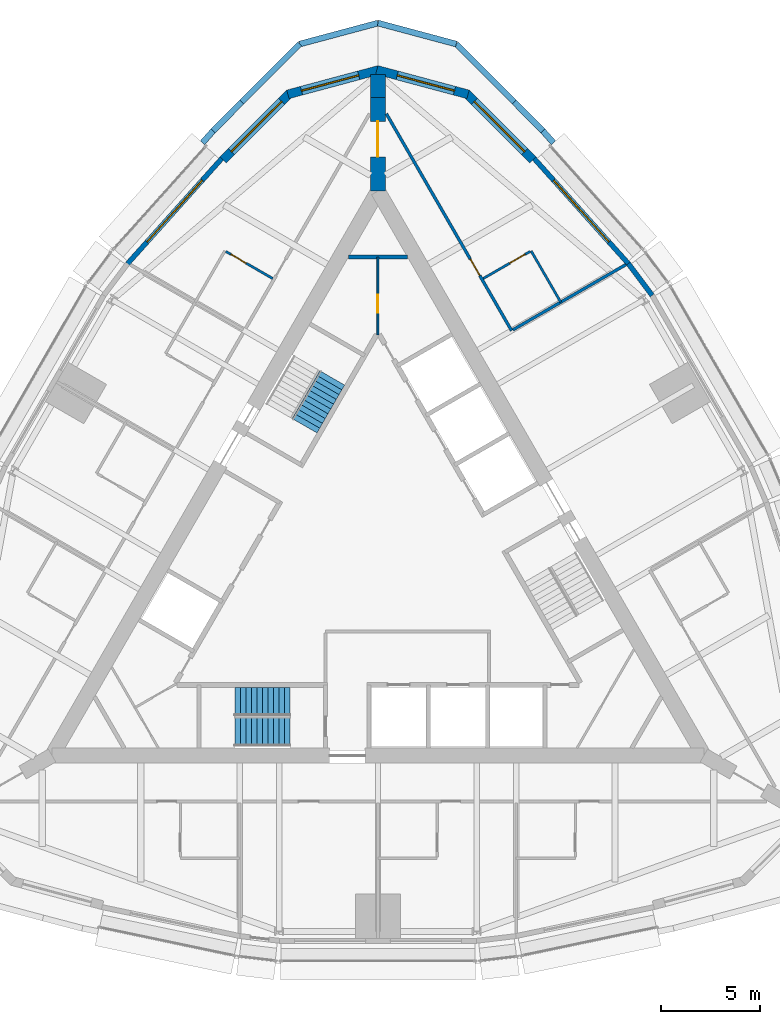
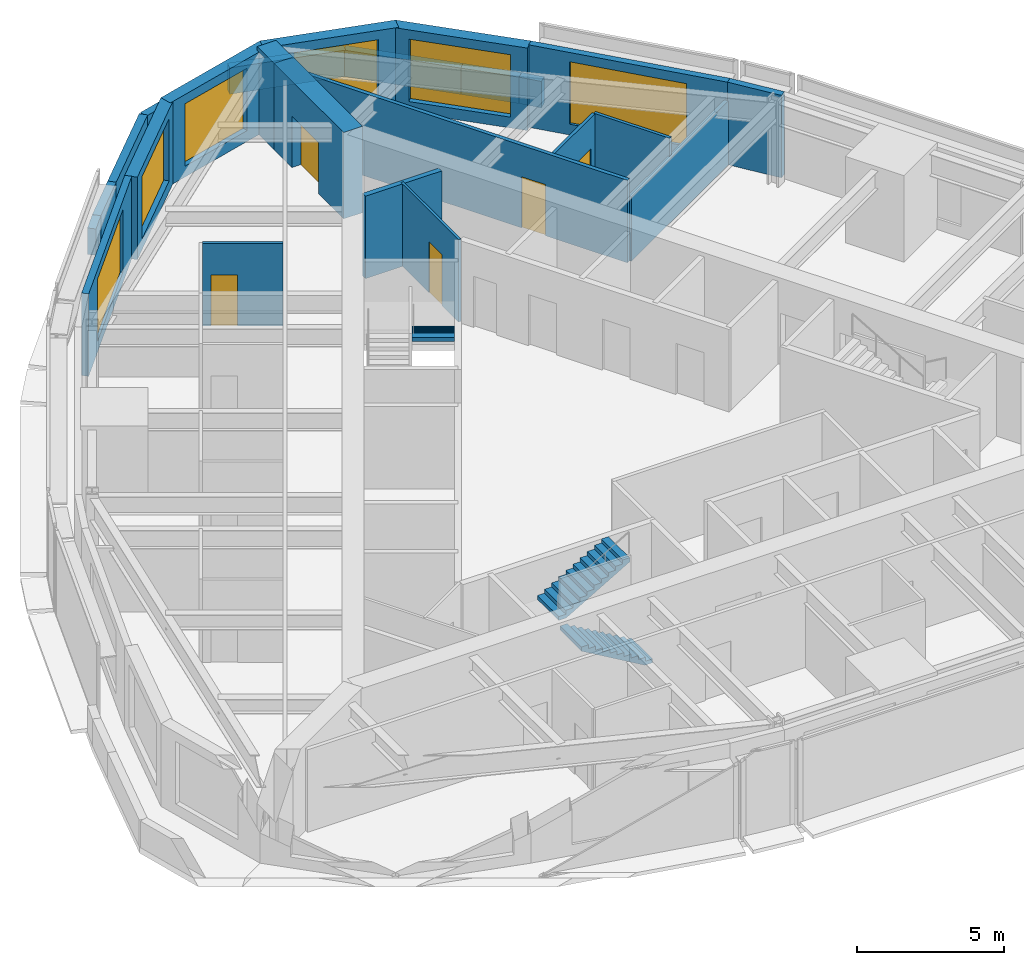
# One storey, part 11 of 13: 24 walls, 6 windows, 5 doors, 3 stair flights, 11 openings, 2 elements without a shape of their own.
"""IFC4 building model written with IfcOpenShell, lengths in metres."""

from ifc_helpers import new_model, si_unit, direction, frame, frame_2d, origin, place, context, subcontext, project, spatial, polyline, rectangle, outline, extrude, material, layer, layer_set, type_object, element, fill, aggregate, save


model = new_model("IFC4")

# Units and contexts
model_context = context("Model", 3, precision=1e-05, world=origin(), true_north=direction((0.0, 1.0)))
body_context = subcontext(model_context, "Body", "Model", "MODEL_VIEW")
ifc_project = project(units=[si_unit("LENGTHUNIT", "METRE"), si_unit("AREAUNIT", "SQUARE_METRE"), si_unit("VOLUMEUNIT", "CUBIC_METRE"), si_unit("PLANEANGLEUNIT", "RADIAN"), si_unit("MASSUNIT", "GRAM", prefix="KILO")], contexts=[model_context])

# Site, building, storey
site_placement = place(None, origin())
site = spatial("IfcSite", under=ifc_project, at=site_placement, CompositionType="ELEMENT")
building_placement = place(site_placement, origin())
building = spatial("IfcBuilding", under=site, at=building_placement, Name="Trikona Tower", CompositionType="ELEMENT")
storey_placement = place(building_placement, frame((0.0, 0.0, 239.300048828125)))
storey = spatial("IfcBuildingStorey", under=building, at=storey_placement, Name="L63", CompositionType="ELEMENT", Elevation=239.300048828125)

# Wall
ifc_material_1 = material(Name="Metal stud and cement board", Category="gypsum")
ifc_layer_1 = layer(ifc_material_1, 0.1201171875)
ifc_layer_set_1 = layer_set([ifc_layer_1], Name="Bathroom wall 120")
wall_type_1 = type_object("IfcWallType", Name="Bathroom wall 120", PredefinedType="PLUMBINGWALL", material=ifc_layer_set_1)
wall_1_placement = place(storey_placement, frame((9.25341796875, 13.42529296875, 0.0), z_axis=(0.0, 0.0, 1.0), x_axis=(-0.499990139034, 0.866031096941, 0.0)))
element("IfcWall", 1, at=wall_1_placement, inside=storey, type_object=wall_type_1, Name="Bathroom wall 6305", PredefinedType="PLUMBINGWALL", context=body_context, shape_type="SweptSolid", body=[
    extrude(rectangle(XDim=3.0, YDim=0.1201171875, at=frame_2d((1.5, 0.0))), origin(), (0.0, 0.0, 1.0), 3.43505859375),
])

# Wall, opening, door
wall_2_placement = place(storey_placement, frame((5.32861328125, 14.623291015625, 0.0), z_axis=(0.0, 0.0, 1.0), x_axis=(0.865997131366, 0.500048966069, 0.0)))
wall_2 = element("IfcWall", 2, at=wall_2_placement, inside=storey, type_object=wall_type_1, Name="Bathroom wall 6305", PredefinedType="PLUMBINGWALL", context=body_context, shape_type="SweptSolid", body=[
    extrude(rectangle(XDim=2.739990234375, YDim=0.1201171875, at=frame_2d((1.3701171875, 0.0))), origin(), (0.0, 0.0, 1.0), 3.43505859375),
])
opening_1_placement = place(wall_2_placement, frame((1.550048828125, 0.0, 0.0)))
opening_1 = element("IfcOpeningElement", 3, at=opening_1_placement, cuts=wall_2, Name="Opening D2", PredefinedType="OPENING", context=body_context, shape_type="SweptSolid", body=[
    extrude(rectangle(XDim=0.89990234375, YDim=2.1298828125, at=frame_2d((0.449951171875, 1.06494140625))), frame((0.0, 0.070068359375, 0.0), z_axis=(0.0, -1.0, 0.0), x_axis=(1.0, 0.0, 0.0)), (0.0, 0.0, 1.0), 0.14013671875),
])
ifc_material_2 = material(Name="Steel door frame with solid-core timber leaf", Category="steel")
door_type_1 = type_object("IfcDoorType", Name="Bathroom door 900x2130", OperationType="SLIDING_TO_LEFT", PredefinedType="DOOR", material=ifc_material_2)
door_1_placement = place(opening_1_placement, origin())
door_1 = element("IfcDoor", 4, at=door_1_placement, inside=storey, type_object=door_type_1, Name="Bathroom door 6305", OperationType="SLIDING_TO_LEFT", OverallHeight=2.1298828125, OverallWidth=0.89990234375, PredefinedType="DOOR", context=body_context, shape_type="SweptSolid", body=[
    extrude(rectangle(XDim=0.89990234375, YDim=2.1298828125, at=frame_2d((0.449951171875, 1.06494140625))), frame((0.0, 0.02490234375, 0.0), z_axis=(0.0, -1.0, 0.0), x_axis=(1.0, 0.0, 0.0)), (0.0, 0.0, 1.0), 0.050048828125),
])
fill(opening_1, door_1)

wall_3_placement = place(storey_placement, frame((-5.32861328125, 14.623291015625, 0.0), z_axis=(0.0, 0.0, 1.0), x_axis=(-0.865997131366, 0.500048966069, 0.0)))
wall_3 = element("IfcWall", 5, at=wall_3_placement, inside=storey, type_object=wall_type_1, Name="Bathroom wall 6306", PredefinedType="PLUMBINGWALL", context=body_context, shape_type="SweptSolid", body=[
    extrude(rectangle(XDim=2.739990234375, YDim=0.1201171875, at=frame_2d((1.3701171875, 0.0))), origin(), (0.0, 0.0, 1.0), 3.43505859375),
])
opening_2_placement = place(wall_3_placement, frame((1.550048828125, 0.0, 0.0)))
opening_2 = element("IfcOpeningElement", 6, at=opening_2_placement, cuts=wall_3, Name="Opening D2", PredefinedType="OPENING", context=body_context, shape_type="SweptSolid", body=[
    extrude(rectangle(XDim=0.89990234375, YDim=2.1298828125, at=frame_2d((0.449951171875, 1.06494140625))), frame((0.0, 0.070068359375, 0.0), z_axis=(0.0, -1.0, 0.0), x_axis=(1.0, 0.0, 0.0)), (0.0, 0.0, 1.0), 0.14013671875),
])
door_2_placement = place(opening_2_placement, origin())
door_2 = element("IfcDoor", 7, at=door_2_placement, inside=storey, type_object=door_type_1, Name="Bathroom door 6306", OperationType="SLIDING_TO_LEFT", OverallHeight=2.1298828125, OverallWidth=0.89990234375, PredefinedType="DOOR", context=body_context, shape_type="SweptSolid", body=[
    extrude(rectangle(XDim=0.89990234375, YDim=2.1298828125, at=frame_2d((0.449951171875, 1.06494140625))), frame((0.0, 0.02490234375, 0.0), z_axis=(0.0, -1.0, 0.0), x_axis=(1.0, 0.0, 0.0)), (0.0, 0.0, 1.0), 0.050048828125),
])
fill(opening_2, door_2)

# Wall, opening, window
ifc_material_3 = material(Name="Brick-faced precast concrete", Category="masonry")
ifc_layer_2 = layer(ifc_material_3, 0.449951171875)
ifc_layer_set_2 = layer_set([ifc_layer_2], Name="Brick-faced corner wall 450")
wall_type_2 = type_object("IfcWallType", Name="Brick-faced corner wall 450", PredefinedType="SOLIDWALL", material=ifc_layer_set_2)
wall_4_placement = place(storey_placement, frame((7.8408203125, 20.62548828125, 0.0), z_axis=(0.0, 0.0, 1.0), x_axis=(-0.707106781187, 0.707106781187, 0.0)))
wall_4 = element("IfcWall", 8, at=wall_4_placement, inside=storey, type_object=wall_type_2, Name="External wall L63-14", PredefinedType="SOLIDWALL", context=body_context, shape_type="SweptSolid", body=[
    extrude(rectangle(XDim=4.781494140625, YDim=0.449951171875, at=frame_2d((2.390625, 0.0))), origin(), (0.0, 0.0, 1.0), 3.43505859375),
])
opening_3_placement = place(wall_4_placement, frame((0.5908203125, 0.0, 0.449951171875)))
opening_3 = element("IfcOpeningElement", 9, at=opening_3_placement, cuts=wall_4, Name="Opening W3626", PredefinedType="OPENING", context=body_context, shape_type="SweptSolid", body=[
    extrude(rectangle(XDim=3.60009765625, YDim=2.60009765625, at=frame_2d((1.800048828125, 1.300048828125))), frame((0.0, 0.23486328125, 0.0), z_axis=(0.0, -1.0, 0.0), x_axis=(1.0, 0.0, 0.0)), (0.0, 0.0, 1.0), 0.469970703125),
])
ifc_material_4 = material(Name="Aluminium-framed double glazing", Category="aluminium")
window_type_1 = type_object("IfcWindowType", Name="Window 3600x2600", PartitioningType="SINGLE_PANEL", PredefinedType="WINDOW", material=ifc_material_4)
window_1_placement = place(opening_3_placement, origin())
window_1 = element("IfcWindow", 10, at=window_1_placement, inside=storey, type_object=window_type_1, Name="Window 6305", OverallHeight=2.60009765625, OverallWidth=3.60009765625, PartitioningType="SINGLE_PANEL", PredefinedType="WINDOW", context=body_context, shape_type="SweptSolid", body=[
    extrude(rectangle(XDim=3.60009765625, YDim=2.60009765625, at=frame_2d((1.800048828125, 1.300048828125))), frame((0.0, 0.030029296875, 0.0), z_axis=(0.0, -1.0, 0.0), x_axis=(1.0, 0.0, 0.0)), (0.0, 0.0, 1.0), 0.06005859375),
])
fill(opening_3, window_1)

wall_5_placement = place(storey_placement, frame((4.560546875, 23.948486328125, 0.0), z_axis=(0.0, 0.0, 1.0), x_axis=(-0.965926628191, 0.258816052347, 0.0)))
wall_5 = element("IfcWall", 11, at=wall_5_placement, inside=storey, type_object=wall_type_2, Name="External wall L63-15", PredefinedType="SOLIDWALL", context=body_context, shape_type="SweptSolid", body=[
    extrude(outline(polyline([(4.781494140625, 0.22509765625), (4.722412109375, 0.22509765625), (4.302978515625, 0.112548828125), (4.27294921875, 0.22509765625), (0.0, 0.22509765625), (0.0, -0.22509765625), (4.781494140625, -0.22509765625), (4.781494140625, 0.22509765625)])), origin(), (0.0, 0.0, 1.0), 3.43505859375),
])
opening_4_placement = place(wall_5_placement, frame((0.71142578125, 0.0, 0.449951171875)))
opening_4 = element("IfcOpeningElement", 12, at=opening_4_placement, cuts=wall_5, Name="Opening W3026", PredefinedType="OPENING", context=body_context, shape_type="SweptSolid", body=[
    extrude(rectangle(XDim=3.0, YDim=2.60009765625, at=frame_2d((1.5, 1.300048828125))), frame((0.0, 0.23486328125, 0.0), z_axis=(0.0, -1.0, 0.0), x_axis=(1.0, 0.0, 0.0)), (0.0, 0.0, 1.0), 0.469970703125),
])
ifc_material_5 = material(Name="Aluminium-framed double glazing", Category="aluminium")
window_type_2 = type_object("IfcWindowType", Name="Window 3000x2600", PartitioningType="SINGLE_PANEL", PredefinedType="WINDOW", material=ifc_material_5)
window_2_placement = place(opening_4_placement, origin())
window_2 = element("IfcWindow", 13, at=window_2_placement, inside=storey, type_object=window_type_2, Name="Window 6305", OverallHeight=2.60009765625, OverallWidth=3.0, PartitioningType="SINGLE_PANEL", PredefinedType="WINDOW", context=body_context, shape_type="SweptSolid", body=[
    extrude(rectangle(XDim=3.0, YDim=2.60009765625, at=frame_2d((1.5, 1.300048828125))), frame((0.0, 0.030029296875, 0.0), z_axis=(0.0, -1.0, 0.0), x_axis=(1.0, 0.0, 0.0)), (0.0, 0.0, 1.0), 0.06005859375),
])
fill(opening_4, window_2)

wall_6_placement = place(storey_placement, frame((0.05810546875, 25.18603515625, 0.0), z_axis=(0.0, 0.0, 1.0), x_axis=(-0.965926628191, -0.258816052347, 0.0)))
wall_6 = element("IfcWall", 14, at=wall_6_placement, inside=storey, type_object=wall_type_2, Name="External wall L63-16", PredefinedType="SOLIDWALL", context=body_context, shape_type="SweptSolid", body=[
    extrude(outline(polyline([(4.781494140625, 0.22509765625), (0.508544921875, 0.22509765625), (0.478515625, 0.112548828125), (0.059326171875, 0.22509765625), (0.0, 0.22509765625), (0.0, -0.22509765625), (4.781494140625, -0.22509765625), (4.781494140625, 0.22509765625)])), origin(), (0.0, 0.0, 1.0), 3.43505859375),
])
opening_5_placement = place(wall_6_placement, frame((1.0703125, 0.0, 0.449951171875)))
opening_5 = element("IfcOpeningElement", 15, at=opening_5_placement, cuts=wall_6, Name="Opening W3026", PredefinedType="OPENING", context=body_context, shape_type="SweptSolid", body=[
    extrude(rectangle(XDim=3.0, YDim=2.60009765625, at=frame_2d((1.5, 1.300048828125))), frame((0.0, 0.23486328125, 0.0), z_axis=(0.0, -1.0, 0.0), x_axis=(1.0, 0.0, 0.0)), (0.0, 0.0, 1.0), 0.469970703125),
])
window_3_placement = place(opening_5_placement, origin())
window_3 = element("IfcWindow", 16, at=window_3_placement, inside=storey, type_object=window_type_2, Name="Window 6306", OverallHeight=2.60009765625, OverallWidth=3.0, PartitioningType="SINGLE_PANEL", PredefinedType="WINDOW", context=body_context, shape_type="SweptSolid", body=[
    extrude(rectangle(XDim=3.0, YDim=2.60009765625, at=frame_2d((1.5, 1.300048828125))), frame((0.0, 0.030029296875, 0.0), z_axis=(0.0, -1.0, 0.0), x_axis=(1.0, 0.0, 0.0)), (0.0, 0.0, 1.0), 0.06005859375),
])
fill(opening_5, window_3)

wall_7_placement = place(storey_placement, frame((-4.459716796875, 24.006591796875, 0.0), z_axis=(0.0, 0.0, 1.0), x_axis=(-0.707106781187, -0.707106781187, 0.0)))
wall_7 = element("IfcWall", 17, at=wall_7_placement, inside=storey, type_object=wall_type_2, Name="External wall L63-17", PredefinedType="SOLIDWALL", context=body_context, shape_type="SweptSolid", body=[
    extrude(rectangle(XDim=4.781494140625, YDim=0.449951171875, at=frame_2d((2.390625, 0.0))), origin(), (0.0, 0.0, 1.0), 3.43505859375),
])
opening_6_placement = place(wall_7_placement, frame((0.5908203125, 0.0, 0.449951171875)))
opening_6 = element("IfcOpeningElement", 18, at=opening_6_placement, cuts=wall_7, Name="Opening W3626", PredefinedType="OPENING", context=body_context, shape_type="SweptSolid", body=[
    extrude(rectangle(XDim=3.60009765625, YDim=2.60009765625, at=frame_2d((1.800048828125, 1.300048828125))), frame((0.0, 0.23486328125, 0.0), z_axis=(0.0, -1.0, 0.0), x_axis=(1.0, 0.0, 0.0)), (0.0, 0.0, 1.0), 0.469970703125),
])
window_4_placement = place(opening_6_placement, origin())
window_4 = element("IfcWindow", 19, at=window_4_placement, inside=storey, type_object=window_type_1, Name="Window 6306", OverallHeight=2.60009765625, OverallWidth=3.60009765625, PartitioningType="SINGLE_PANEL", PredefinedType="WINDOW", context=body_context, shape_type="SweptSolid", body=[
    extrude(rectangle(XDim=3.60009765625, YDim=2.60009765625, at=frame_2d((1.800048828125, 1.300048828125))), frame((0.0, 0.030029296875, 0.0), z_axis=(0.0, -1.0, 0.0), x_axis=(1.0, 0.0, 0.0)), (0.0, 0.0, 1.0), 0.06005859375),
])
fill(opening_6, window_4)

# Wall, opening, door
ifc_material_6 = material(Name="Concrete f'c 10000 psi", Category="concrete")
ifc_layer_3 = layer(ifc_material_6, 0.75)
ifc_layer_set_3 = layer_set([ifc_layer_3], Name="Buttress wall 750")
wall_type_3 = type_object("IfcWallType", Name="Buttress wall 750", PredefinedType="SHEAR", material=ifc_layer_set_3)
wall_8_placement = place(storey_placement, frame((0.0, 19.052490234375, 0.0), z_axis=(0.0, 0.0, 1.0), x_axis=(0.0, 1.0, 0.0)))
wall_8 = element("IfcWall", 20, at=wall_8_placement, inside=storey, type_object=wall_type_3, Name="Buttress wall 2", PredefinedType="SHEAR", context=body_context, shape_type="SweptSolid", body=[
    extrude(rectangle(XDim=4.74609375, YDim=0.75, at=frame_2d((2.373046875, 0.0))), origin(), (0.0, 0.0, 1.0), 3.599853515625),
])
opening_7_placement = place(wall_8_placement, frame((1.72509765625, 0.0, 0.0)))
opening_7 = element("IfcOpeningElement", 21, at=opening_7_placement, cuts=wall_8, Name="Opening D10", PredefinedType="OPENING", context=body_context, shape_type="SweptSolid", body=[
    extrude(rectangle(XDim=1.800048828125, YDim=2.1298828125, at=frame_2d((0.89990234375, 1.06494140625))), frame((0.0, 0.385009765625, 0.0), z_axis=(0.0, -1.0, 0.0), x_axis=(1.0, 0.0, 0.0)), (0.0, 0.0, 1.0), 0.77001953125),
])
ifc_material_7 = material(Name="Hollow metal door and frame", Category="steel")
door_type_2 = type_object("IfcDoorType", Name="Cross-corridor door pair 1800x2130", OperationType="DOUBLE_DOOR_DOUBLE_SWING", PredefinedType="DOOR", material=ifc_material_7)
door_3_placement = place(opening_7_placement, origin())
door_3 = element("IfcDoor", 22, at=door_3_placement, inside=storey, type_object=door_type_2, Name="Cross-corridor door 2", OperationType="DOUBLE_DOOR_DOUBLE_SWING", OverallHeight=2.1298828125, OverallWidth=1.800048828125, PredefinedType="DOOR", context=body_context, shape_type="SweptSolid", body=[
    extrude(rectangle(XDim=1.800048828125, YDim=2.1298828125, at=frame_2d((0.89990234375, 1.06494140625))), frame((0.0, 0.02490234375, 0.0), z_axis=(0.0, -1.0, 0.0), x_axis=(1.0, 0.0, 0.0)), (0.0, 0.0, 1.0), 0.050048828125),
])
fill(opening_7, door_3)

# Wall
wall_9_placement = place(storey_placement, frame((0.0, 23.798583984375, 0.0), z_axis=(0.0, 0.0, 1.0), x_axis=(0.0, 1.0, 0.0)))
element("IfcWall", 23, at=wall_9_placement, inside=storey, type_object=wall_type_3, Name="Buttress wall 2 part 2", PredefinedType="SHEAR", context=body_context, shape_type="SweptSolid", body=[
    extrude(rectangle(XDim=1.15478515625, YDim=0.75, at=frame_2d((0.577392578125, 0.0))), origin(), (0.0, 0.0, 1.0), 3.599853515625),
])

# Wall, opening, door
ifc_material_8 = material(Name="Metal stud and gypsum board, 1-hour", Category="gypsum")
ifc_layer_4 = layer(ifc_material_8, 0.14990234375)
ifc_layer_set_4 = layer_set([ifc_layer_4], Name="Corridor wall 150")
wall_type_4 = type_object("IfcWallType", Name="Corridor wall 150", PredefinedType="PARTITIONING", material=ifc_layer_set_4)
wall_10_placement = place(storey_placement, frame((6.763427734375, 11.98779296875, 0.0), z_axis=(0.0, 0.0, 1.0), x_axis=(-0.49999585592, 0.866027796357, 0.0)))
wall_10 = element("IfcWall", 24, at=wall_10_placement, inside=storey, type_object=wall_type_4, Name="Corridor wall L63-2B", PredefinedType="PARTITIONING", context=body_context, shape_type="SweptSolid", body=[
    extrude(rectangle(XDim=12.6767578125, YDim=0.14990234375, at=frame_2d((6.33837890625, 0.0))), origin(), (0.0, 0.0, 1.0), 3.43505859375),
])
opening_8_placement = place(wall_10_placement, frame((3.22509765625, 0.0, 0.0)))
opening_8 = element("IfcOpeningElement", 25, at=opening_8_placement, cuts=wall_10, Name="Opening D1", PredefinedType="OPENING", context=body_context, shape_type="SweptSolid", body=[
    extrude(rectangle(XDim=0.949951171875, YDim=2.1298828125, at=frame_2d((0.47509765625, 1.06494140625))), frame((0.0, 0.0849609375, 0.0), z_axis=(0.0, -1.0, 0.0), x_axis=(1.0, 0.0, 0.0)), (0.0, 0.0, 1.0), 0.169921875),
])
ifc_material_9 = material(Name="Steel door frame with solid-core timber leaf", Category="steel")
door_type_3 = type_object("IfcDoorType", Name="Guest room door 950x2130", OperationType="SINGLE_SWING_LEFT", PredefinedType="DOOR", material=ifc_material_9)
door_4_placement = place(opening_8_placement, origin())
door_4 = element("IfcDoor", 26, at=door_4_placement, inside=storey, type_object=door_type_3, Name="Room door 6305", OperationType="SINGLE_SWING_LEFT", OverallHeight=2.1298828125, OverallWidth=0.949951171875, PredefinedType="DOOR", context=body_context, shape_type="SweptSolid", body=[
    extrude(rectangle(XDim=0.949951171875, YDim=2.1298828125, at=frame_2d((0.47509765625, 1.06494140625))), frame((0.0, 0.02490234375, 0.0), z_axis=(0.0, -1.0, 0.0), x_axis=(1.0, 0.0, 0.0)), (0.0, 0.0, 1.0), 0.050048828125),
])
fill(opening_8, door_4)

# Wall
ifc_material_10 = material(Name="Insulated precast concrete spandrel panel", Category="concrete")
ifc_layer_5 = layer(ifc_material_10, 0.25)
ifc_layer_set_5 = layer_set([ifc_layer_5], Name="Inner skin wall 250")
wall_type_5 = type_object("IfcWallType", Name="Inner skin wall 250", PredefinedType="STANDARD", material=ifc_layer_set_5)
wall_11_placement = place(storey_placement, frame((13.880859375, 13.7705078125, 0.0), z_axis=(0.0, 0.0, 1.0), x_axis=(-0.599650843534, 0.800261748335, 0.0)))
element("IfcWall", 27, at=wall_11_placement, inside=storey, type_object=wall_type_5, Name="External wall L63-12", PredefinedType="STANDARD", context=body_context, shape_type="SweptSolid", body=[
    extrude(rectangle(XDim=2.01416015625, YDim=0.25, at=frame_2d((1.007080078125, 0.0))), origin(), (0.0, 0.0, 1.0), 3.43505859375),
])

# Wall, opening, window
wall_12_placement = place(storey_placement, frame((12.679931640625, 15.3740234375, 0.0), z_axis=(0.0, 0.0, 1.0), x_axis=(-0.667303550892, 0.744785855778, 0.0)))
wall_12 = element("IfcWall", 28, at=wall_12_placement, inside=storey, type_object=wall_type_5, Name="External wall L63-13", PredefinedType="STANDARD", context=body_context, shape_type="SweptSolid", body=[
    extrude(rectangle(XDim=7.152587890625, YDim=0.25, at=frame_2d((3.576171875, 0.0))), origin(), (0.0, 0.0, 1.0), 3.43505859375),
])
opening_9_placement = place(wall_12_placement, frame((1.476318359375, 0.0, 0.449951171875)))
opening_9 = element("IfcOpeningElement", 29, at=opening_9_placement, cuts=wall_12, Name="Opening W4226", PredefinedType="OPENING", context=body_context, shape_type="SweptSolid", body=[
    extrude(rectangle(XDim=4.199951171875, YDim=2.60009765625, at=frame_2d((2.10009765625, 1.300048828125))), frame((0.0, 0.135009765625, 0.0), z_axis=(0.0, -1.0, 0.0), x_axis=(1.0, 0.0, 0.0)), (0.0, 0.0, 1.0), 0.27001953125),
])
ifc_material_11 = material(Name="Aluminium-framed double glazing", Category="aluminium")
window_type_3 = type_object("IfcWindowType", Name="Window 4200x2600", PartitioningType="SINGLE_PANEL", PredefinedType="WINDOW", material=ifc_material_11)
window_5_placement = place(opening_9_placement, origin())
window_5 = element("IfcWindow", 30, at=window_5_placement, inside=storey, type_object=window_type_3, Name="Window 6305", OverallHeight=2.60009765625, OverallWidth=4.199951171875, PartitioningType="SINGLE_PANEL", PredefinedType="WINDOW", context=body_context, shape_type="SweptSolid", body=[
    extrude(rectangle(XDim=4.199951171875, YDim=2.60009765625, at=frame_2d((2.10009765625, 1.300048828125))), frame((0.0, 0.030029296875, 0.0), z_axis=(0.0, -1.0, 0.0), x_axis=(1.0, 0.0, 0.0)), (0.0, 0.0, 1.0), 0.06005859375),
])
fill(opening_9, window_5)

wall_13_placement = place(storey_placement, frame((-7.906982421875, 20.701171875, 0.0), z_axis=(0.0, 0.0, 1.0), x_axis=(-0.667303550892, -0.744785855778, 0.0)))
wall_13 = element("IfcWall", 31, at=wall_13_placement, inside=storey, type_object=wall_type_5, Name="External wall L63-18", PredefinedType="STANDARD", context=body_context, shape_type="SweptSolid", body=[
    extrude(rectangle(XDim=7.152587890625, YDim=0.25, at=frame_2d((3.576171875, 0.0))), origin(), (0.0, 0.0, 1.0), 3.43505859375),
])
opening_10_placement = place(wall_13_placement, frame((1.476318359375, 0.0, 0.449951171875)))
opening_10 = element("IfcOpeningElement", 32, at=opening_10_placement, cuts=wall_13, Name="Opening W4226", PredefinedType="OPENING", context=body_context, shape_type="SweptSolid", body=[
    extrude(rectangle(XDim=4.199951171875, YDim=2.60009765625, at=frame_2d((2.10009765625, 1.300048828125))), frame((0.0, 0.135009765625, 0.0), z_axis=(0.0, -1.0, 0.0), x_axis=(1.0, 0.0, 0.0)), (0.0, 0.0, 1.0), 0.27001953125),
])
window_6_placement = place(opening_10_placement, origin())
window_6 = element("IfcWindow", 33, at=window_6_placement, inside=storey, type_object=window_type_3, Name="Window 6306", OverallHeight=2.60009765625, OverallWidth=4.199951171875, PartitioningType="SINGLE_PANEL", PredefinedType="WINDOW", context=body_context, shape_type="SweptSolid", body=[
    extrude(rectangle(XDim=4.199951171875, YDim=2.60009765625, at=frame_2d((2.10009765625, 1.300048828125))), frame((0.0, 0.030029296875, 0.0), z_axis=(0.0, -1.0, 0.0), x_axis=(1.0, 0.0, 0.0)), (0.0, 0.0, 1.0), 0.06005859375),
])
fill(opening_10, window_6)

# Walls
ifc_material_12 = material(Name="Brick-faced precast concrete", Category="masonry")
ifc_layer_6 = layer(ifc_material_12, 0.300048828125)
ifc_layer_set_6 = layer_set([ifc_layer_6], Name="Parapet wall 300")
wall_type_6 = type_object("IfcWallType", Name="Parapet wall 300", PredefinedType="PARAPET", material=ifc_layer_set_6)
wall_14_placement = place(storey_placement, frame((-8.8837890625, 21.49609375, 0.0), z_axis=(0.0, 0.0, 1.0), x_axis=(0.664345086819, 0.747425986717, 0.0)))
element("IfcWall", 34, at=wall_14_placement, inside=storey, type_object=wall_type_6, Name="Parapet L63-10", PredefinedType="PARAPET", context=body_context, shape_type="SweptSolid", body=[
    extrude(rectangle(XDim=0.80810546875, YDim=0.300048828125, at=frame_2d((0.404052734375, 0.0))), origin(), (0.0, 0.0, 1.0), 1.099853515625),
])
wall_15_placement = place(storey_placement, frame((-8.346923828125, 22.10009765625, 0.0), z_axis=(0.0, 0.0, 1.0), x_axis=(0.704083858744, 0.710116835356, 0.0)))
element("IfcWall", 35, at=wall_15_placement, inside=storey, type_object=wall_type_6, Name="Parapet L63-11", PredefinedType="PARAPET", context=body_context, shape_type="SweptSolid", body=[
    extrude(rectangle(XDim=2.06396484375, YDim=0.300048828125, at=frame_2d((1.031982421875, 0.0))), origin(), (0.0, 0.0, 1.0), 1.099853515625),
])
wall_16_placement = place(storey_placement, frame((-6.893798828125, 23.565673828125, 0.0), z_axis=(0.0, 0.0, 1.0), x_axis=(0.707136242128, 0.707077319018, 0.0)))
element("IfcWall", 36, at=wall_16_placement, inside=storey, type_object=wall_type_6, Name="Parapet L63-12", PredefinedType="PARAPET", context=body_context, shape_type="SweptSolid", body=[
    extrude(rectangle(XDim=4.143310546875, YDim=0.300048828125, at=frame_2d((2.07177734375, 0.0))), origin(), (0.0, 0.0, 1.0), 1.099853515625),
])
for number, where, z_axis, x_axis, name in (
    (37, (-3.9638671875, 26.495361328125, 0.0), (0.0, 0.0, 1.0), (0.965917245305, 0.258851067647, 0.0), "Parapet L63-13"),
    (38, (0.0, 27.5576171875, 0.0), (0.0, 0.0, 1.0), (0.965917245305, -0.258851067647, 0.0), "Parapet L63-14"),
):
    element("IfcWall", number, at=place(storey_placement, frame(where, z_axis=z_axis, x_axis=x_axis)), inside=storey, type_object=wall_type_6, Name=name, PredefinedType="PARAPET", context=body_context, shape_type="SweptSolid", body=[
        extrude(rectangle(XDim=4.103759765625, YDim=0.300048828125, at=frame_2d((2.0517578125, 0.0))), origin(), (0.0, 0.0, 1.0), 1.099853515625),
    ])
wall_17_placement = place(storey_placement, frame((3.9638671875, 26.495361328125, 0.0), z_axis=(0.0, 0.0, 1.0), x_axis=(0.707136242128, -0.707077319018, 0.0)))
element("IfcWall", 39, at=wall_17_placement, inside=storey, type_object=wall_type_6, Name="Parapet L63-15", PredefinedType="PARAPET", context=body_context, shape_type="SweptSolid", body=[
    extrude(rectangle(XDim=4.143310546875, YDim=0.300048828125, at=frame_2d((2.07177734375, 0.0))), origin(), (0.0, 0.0, 1.0), 1.099853515625),
])
wall_18_placement = place(storey_placement, frame((6.893798828125, 23.565673828125, 0.0), z_axis=(0.0, 0.0, 1.0), x_axis=(0.704083858744, -0.710116835356, 0.0)))
element("IfcWall", 40, at=wall_18_placement, inside=storey, type_object=wall_type_6, Name="Parapet L63-16", PredefinedType="PARAPET", context=body_context, shape_type="SweptSolid", body=[
    extrude(rectangle(XDim=2.06396484375, YDim=0.300048828125, at=frame_2d((1.031982421875, 0.0))), origin(), (0.0, 0.0, 1.0), 1.099853515625),
])
wall_19_placement = place(storey_placement, frame((8.346923828125, 22.10009765625, 0.0), z_axis=(0.0, 0.0, 1.0), x_axis=(0.664345086819, -0.747425986717, 0.0)))
element("IfcWall", 41, at=wall_19_placement, inside=storey, type_object=wall_type_6, Name="Parapet L63-17", PredefinedType="PARAPET", context=body_context, shape_type="SweptSolid", body=[
    extrude(rectangle(XDim=0.80810546875, YDim=0.300048828125, at=frame_2d((0.404052734375, 0.0))), origin(), (0.0, 0.0, 1.0), 1.099853515625),
])
ifc_material_13 = material(Name="Metal stud and gypsum board, 1-hour acoustic", Category="gypsum")
ifc_layer_7 = layer(ifc_material_13, 0.14990234375)
ifc_layer_set_7 = layer_set([ifc_layer_7], Name="Party wall 150")
wall_type_7 = type_object("IfcWallType", Name="Party wall 150", PredefinedType="PARTITIONING", material=ifc_layer_set_7)
wall_20_placement = place(storey_placement, frame((6.82861328125, 12.025390625, 0.0), z_axis=(0.0, 0.0, 1.0), x_axis=(0.866029323189, 0.499993211332, 0.0)))
element("IfcWall", 42, at=wall_20_placement, inside=storey, type_object=wall_type_7, Name="Partition L63 F2 u7", PredefinedType="PARTITIONING", context=body_context, shape_type="SweptSolid", body=[
    extrude(rectangle(XDim=6.6083984375, YDim=0.14990234375, at=frame_2d((3.30419921875, 0.0))), origin(), (0.0, 0.0, 1.0), 2.677978515625),
])
ifc_material_14 = material(Name="Concrete f'c 8000 psi", Category="concrete")
ifc_layer_8 = layer(ifc_material_14, 0.199951171875)
ifc_layer_set_8 = layer_set([ifc_layer_8], Name="Shaft wall 200")
wall_type_8 = type_object("IfcWallType", Name="Shaft wall 200", PredefinedType="SOLIDWALL", material=ifc_layer_set_8)
wall_21_placement = place(storey_placement, frame((-1.501220703125, 15.70263671875, 0.0), z_axis=(0.0, 0.0, 1.0), x_axis=(1.0, 0.0, 0.0)))
element("IfcWall", 43, at=wall_21_placement, inside=storey, type_object=wall_type_8, Name="Riser wall L63-RS2", PredefinedType="SOLIDWALL", context=body_context, shape_type="SweptSolid", body=[
    extrude(rectangle(XDim=3.00244140625, YDim=0.199951171875, at=frame_2d((1.501220703125, 0.0))), origin(), (0.0, 0.0, 1.0), 3.43505859375),
])

# Wall, opening, door
ifc_material_15 = material(Name="Metal stud and gypsum board, acoustic", Category="gypsum")
ifc_layer_9 = layer(ifc_material_15, 0.10009765625)
ifc_layer_set_9 = layer_set([ifc_layer_9], Name="Suite partition 100")
wall_type_9 = type_object("IfcWallType", Name="Suite partition 100", PredefinedType="PARTITIONING", material=ifc_layer_set_9)
wall_22_placement = place(storey_placement, frame((0.0, 15.70263671875, 0.0), z_axis=(0.0, 0.0, 1.0), x_axis=(0.0, -1.0, 0.0)))
wall_22 = element("IfcWall", 44, at=wall_22_placement, inside=storey, type_object=wall_type_9, Name="Store partition L63-RS2", PredefinedType="PARTITIONING", context=body_context, shape_type="SweptSolid", body=[
    extrude(rectangle(XDim=3.92529296875, YDim=0.10009765625, at=frame_2d((1.962646484375, 0.0))), origin(), (0.0, 0.0, 1.0), 3.43505859375),
])
opening_11_placement = place(wall_22_placement, frame((1.905029296875, 0.0, 0.0)))
opening_11 = element("IfcOpeningElement", 45, at=opening_11_placement, cuts=wall_22, Name="Opening D15", PredefinedType="OPENING", context=body_context, shape_type="SweptSolid", body=[
    extrude(rectangle(XDim=0.89990234375, YDim=2.1298828125, at=frame_2d((0.449951171875, 1.06494140625))), frame((0.0, 0.06005859375, 0.0), z_axis=(0.0, -1.0, 0.0), x_axis=(1.0, 0.0, 0.0)), (0.0, 0.0, 1.0), 0.1201171875),
])
ifc_material_16 = material(Name="Steel door frame with solid-core timber leaf", Category="steel")
door_type_4 = type_object("IfcDoorType", Name="Store door 900x2130", OperationType="SINGLE_SWING_LEFT", PredefinedType="DOOR", material=ifc_material_16)
door_5_placement = place(opening_11_placement, origin())
door_5 = element("IfcDoor", 46, at=door_5_placement, inside=storey, type_object=door_type_4, Name="Door Minibar store MBS", OperationType="SINGLE_SWING_RIGHT", OverallHeight=2.1298828125, OverallWidth=0.89990234375, PredefinedType="DOOR", context=body_context, shape_type="SweptSolid", body=[
    extrude(rectangle(XDim=0.89990234375, YDim=2.1298828125, at=frame_2d((0.449951171875, 1.06494140625))), frame((0.0, 0.02490234375, 0.0), z_axis=(0.0, -1.0, 0.0), x_axis=(1.0, 0.0, 0.0)), (0.0, 0.0, 1.0), 0.050048828125),
])
fill(opening_11, door_5)

# Stair, stair flights
ifc_material_17 = material(Name="Concrete f'c 5000 psi", Category="concrete")
stair_type = type_object("IfcStairType", Name="Core stair", PredefinedType="HALF_TURN_STAIR", material=ifc_material_17)
stair_1_placement = place(storey_placement, origin())
stair_1 = element("IfcStair", 47, at=stair_1_placement, inside=storey, type_object=stair_type, Name="Stair A L63", PredefinedType="HALF_TURN_STAIR")
ifc_material_18 = material(Name="Concrete f'c 5000 psi", Category="concrete")
stair_flight_type = type_object("IfcStairFlightType", Name="Core stair flight 1450", PredefinedType="STRAIGHT", material=ifc_material_18)
stair_flight_1_placement = place(storey_placement, frame((-4.449951171875, -8.351318359375, 0.0), z_axis=(0.0, 0.0, 1.0), x_axis=(-1.0, 0.0, 0.0)))
stair_flight_1 = element("IfcStairFlight", 48, at=stair_flight_1_placement, type_object=stair_flight_type, Name="ST-A flight 1", NumberOfRisers=11, NumberOfTreads=10, PredefinedType="STRAIGHT", RiserHeight=0.163636, TreadLength=0.28, context=body_context, shape_type="SweptSolid", body=[
    extrude(outline(polyline([(0.0, 0.0), (0.0, 0.16357421875), (0.280029296875, 0.16357421875), (0.280029296875, 0.327392578125), (0.56005859375, 0.327392578125), (0.56005859375, 0.490966796875), (0.840087890625, 0.490966796875), (0.840087890625, 0.654541015625), (1.1201171875, 0.654541015625), (1.1201171875, 0.818115234375), (1.39990234375, 0.818115234375), (1.39990234375, 0.98193359375), (1.679931640625, 0.98193359375), (1.679931640625, 1.1455078125), (1.9599609375, 1.1455078125), (1.9599609375, 1.30908203125), (2.239990234375, 1.30908203125), (2.239990234375, 1.47265625), (2.52001953125, 1.47265625), (2.52001953125, 1.636474609375), (2.800048828125, 1.636474609375), (2.800048828125, 1.800048828125), (2.800048828125, 1.462646484375), (0.297119140625, 0.0), (0.0, 0.0)])), frame((0.0, 0.72509765625, 0.0), z_axis=(0.0, -1.0, 0.0), x_axis=(1.0, 0.0, 0.0)), (0.0, 0.0, 1.0), 1.449951171875),
])
stair_flight_2_placement = place(storey_placement, frame((-7.25, -6.80126953125, 1.800048828125), z_axis=(0.0, 0.0, 1.0), x_axis=(1.0, 0.0, 0.0)))
stair_flight_2 = element("IfcStairFlight", 49, at=stair_flight_2_placement, type_object=stair_flight_type, Name="ST-A flight 2", NumberOfRisers=11, NumberOfTreads=10, PredefinedType="STRAIGHT", RiserHeight=0.163636, TreadLength=0.28, context=body_context, shape_type="SweptSolid", body=[
    extrude(outline(polyline([(0.0, 0.0), (0.0, 0.16357421875), (0.280029296875, 0.16357421875), (0.280029296875, 0.327392578125), (0.56005859375, 0.327392578125), (0.56005859375, 0.490966796875), (0.840087890625, 0.490966796875), (0.840087890625, 0.654541015625), (1.1201171875, 0.654541015625), (1.1201171875, 0.818115234375), (1.39990234375, 0.818115234375), (1.39990234375, 0.98193359375), (1.679931640625, 0.98193359375), (1.679931640625, 1.1455078125), (1.9599609375, 1.1455078125), (1.9599609375, 1.30908203125), (2.239990234375, 1.30908203125), (2.239990234375, 1.47265625), (2.52001953125, 1.47265625), (2.52001953125, 1.636474609375), (2.800048828125, 1.636474609375), (2.800048828125, 1.800048828125), (2.800048828125, 1.462646484375), (0.297119140625, 0.0), (0.0, 0.0)])), frame((0.0, 0.72509765625, 0.0), z_axis=(0.0, -1.0, 0.0), x_axis=(1.0, 0.0, 0.0)), (0.0, 0.0, 1.0), 1.449951171875),
])
aggregate(stair_1, [stair_flight_1, stair_flight_2])

# Stair, stair flight
stair_2_placement = place(storey_placement, origin())
stair_2 = element("IfcStair", 50, at=stair_2_placement, inside=storey, type_object=stair_type, Name="Stair C L63", PredefinedType="HALF_TURN_STAIR")
stair_flight_3_placement = place(storey_placement, frame((-2.315185546875, 9.5927734375, 1.800048828125), z_axis=(0.0, 0.0, 1.0), x_axis=(-0.5, -0.866025403784, 0.0)))
stair_flight_3 = element("IfcStairFlight", 51, at=stair_flight_3_placement, type_object=stair_flight_type, Name="ST-C flight 2", NumberOfRisers=11, NumberOfTreads=10, PredefinedType="STRAIGHT", RiserHeight=0.163636, TreadLength=0.28, context=body_context, shape_type="SweptSolid", body=[
    extrude(outline(polyline([(0.0, 0.0), (0.0, 0.16357421875), (0.280029296875, 0.16357421875), (0.280029296875, 0.327392578125), (0.56005859375, 0.327392578125), (0.56005859375, 0.490966796875), (0.840087890625, 0.490966796875), (0.840087890625, 0.654541015625), (1.1201171875, 0.654541015625), (1.1201171875, 0.818115234375), (1.39990234375, 0.818115234375), (1.39990234375, 0.98193359375), (1.679931640625, 0.98193359375), (1.679931640625, 1.1455078125), (1.9599609375, 1.1455078125), (1.9599609375, 1.30908203125), (2.239990234375, 1.30908203125), (2.239990234375, 1.47265625), (2.52001953125, 1.47265625), (2.52001953125, 1.636474609375), (2.800048828125, 1.636474609375), (2.800048828125, 1.800048828125), (2.800048828125, 1.462646484375), (0.297119140625, 0.0), (0.0, 0.0)])), frame((0.0, 0.72509765625, 0.0), z_axis=(0.0, -1.0, 0.0), x_axis=(1.0, 0.0, 0.0)), (0.0, 0.0, 1.0), 1.449951171875),
])
aggregate(stair_2, [stair_flight_3])

save(model, "model.ifc")
